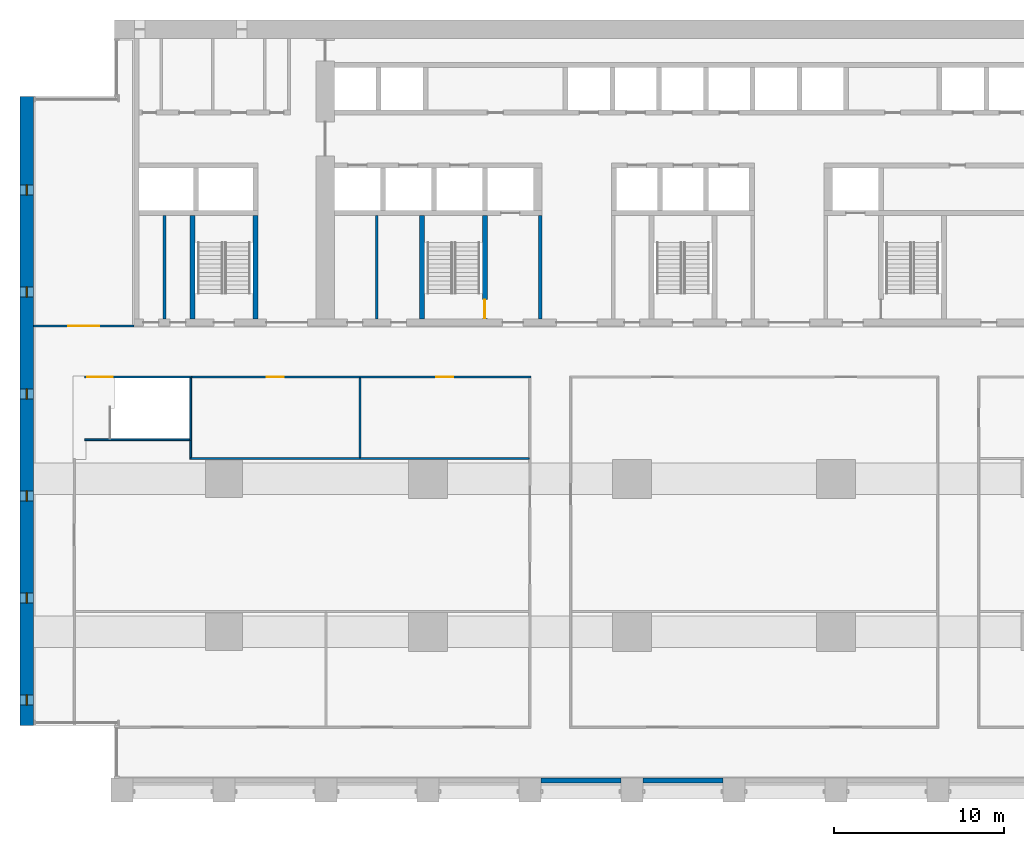
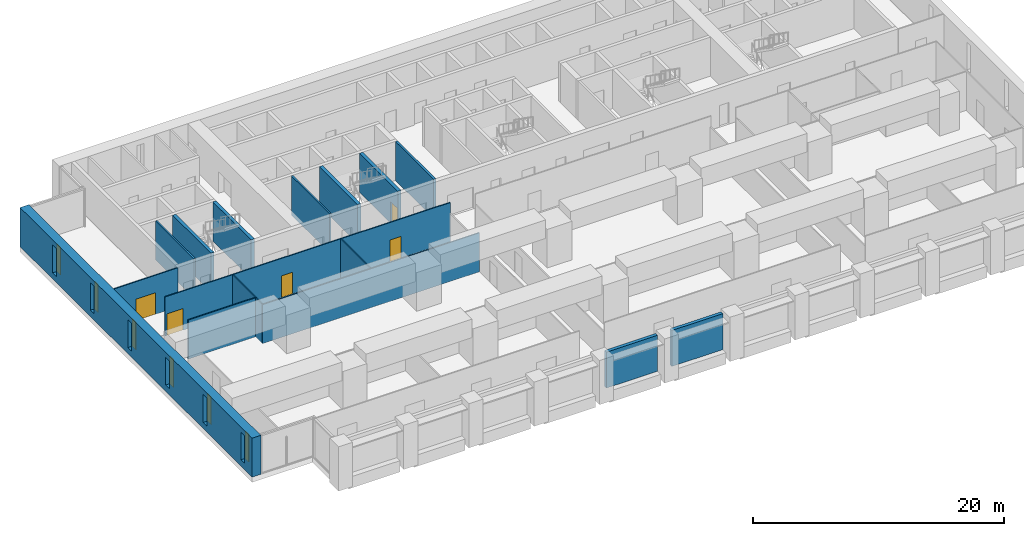
# One storey, part 7 of 17: 18 walls, 6 windows, 5 doors, 11 openings.
"""IFC4 building model written with IfcOpenShell, lengths in metres."""

from ifc_helpers import new_model, si_unit, direction, frame, frame_2d, origin, place, context, subcontext, project, spatial, rectangle, extrude, material, layer, layer_set, type_object, element, fill, save


model = new_model("IFC4")

# Units and contexts
model_context = context("Model", 3, precision=1e-05, world=origin(), true_north=direction((0.0, 1.0)))
body_context = subcontext(model_context, "Body", "Model", "MODEL_VIEW")
ifc_project = project(units=[si_unit("LENGTHUNIT", "METRE"), si_unit("AREAUNIT", "SQUARE_METRE"), si_unit("VOLUMEUNIT", "CUBIC_METRE"), si_unit("PLANEANGLEUNIT", "RADIAN"), si_unit("MASSUNIT", "GRAM", prefix="KILO")], contexts=[model_context])

# Site, building, storey
site_placement = place(None, origin())
site = spatial("IfcSite", under=ifc_project, at=site_placement, CompositionType="ELEMENT")
building_placement = place(site_placement, origin())
building = spatial("IfcBuilding", under=site, at=building_placement, Name="Calvaro Tower", CompositionType="ELEMENT")
storey_placement = place(building_placement, frame((0.0, 0.0, 17.89990234375)))
storey = spatial("IfcBuildingStorey", under=building, at=storey_placement, Name="L03", CompositionType="ELEMENT", Elevation=17.89990234375)

# Walls
ifc_material_1 = material(Name="Blockwork partition", Category="masonry")
ifc_layer_1 = layer(ifc_material_1, 0.14990234375)
ifc_layer_set_1 = layer_set([ifc_layer_1], Name="Blockwork partition")
wall_type_1 = type_object("IfcWallType", Name="Core partition 150 EI 60", PredefinedType="PARTITIONING", material=ifc_layer_set_1)
wall_1_placement = place(storey_placement, frame((21.0, 28.39990234375, 0.0), z_axis=(0.0, 0.0, 1.0), x_axis=(0.0, 1.0, 0.0)))
element("IfcWall", 1, at=wall_1_placement, inside=storey, type_object=wall_type_1, Name="Core partition", PredefinedType="PARTITIONING", context=body_context, shape_type="SweptSolid", body=[
    extrude(rectangle(XDim=6.10009765625, YDim=0.14990234375, at=frame_2d((3.050048828125, 0.0))), origin(), (0.0, 0.0, 1.0), 3.800048828125),
])
ifc_material_2 = material(Name="Blockwork partition", Category="masonry")
ifc_layer_2 = layer(ifc_material_2, 0.14990234375)
ifc_layer_set_2 = layer_set([ifc_layer_2], Name="Blockwork partition")
wall_type_2 = type_object("IfcWallType", Name="Core partition 150 REI 120", PredefinedType="PARTITIONING", material=ifc_layer_set_2)
wall_2_placement = place(storey_placement, frame((8.5, 28.39990234375, 0.0), z_axis=(0.0, 0.0, 1.0), x_axis=(0.0, 1.0, 0.0)))
element("IfcWall", 2, at=wall_2_placement, inside=storey, type_object=wall_type_2, Name="Core partition", PredefinedType="PARTITIONING", context=body_context, shape_type="SweptSolid", body=[
    extrude(rectangle(XDim=6.10009765625, YDim=0.14990234375, at=frame_2d((3.050048828125, 0.0))), origin(), (0.0, 0.0, 1.0), 3.800048828125),
])
ifc_material_3 = material(Name="Blockwork partition", Category="masonry")
ifc_layer_3 = layer(ifc_material_3, 0.199951171875)
ifc_layer_set_3 = layer_set([ifc_layer_3], Name="Blockwork partition")
wall_type_3 = type_object("IfcWallType", Name="Core partition 200 REI 120", PredefinedType="PARTITIONING", material=ifc_layer_set_3)
wall_3_placement = place(storey_placement, frame((30.60009765625, 28.39990234375, 0.0), z_axis=(0.0, 0.0, 1.0), x_axis=(0.0, 1.0, 0.0)))
element("IfcWall", 3, at=wall_3_placement, inside=storey, type_object=wall_type_3, Name="Core partition", PredefinedType="PARTITIONING", context=body_context, shape_type="SweptSolid", body=[
    extrude(rectangle(XDim=6.10009765625, YDim=0.199951171875, at=frame_2d((3.050048828125, 0.0))), origin(), (0.0, 0.0, 1.0), 3.800048828125),
])
ifc_material_4 = material(Name="Concrete C80/95", Category="concrete")
ifc_layer_4 = layer(ifc_material_4, 0.300048828125)
ifc_layer_set_4 = layer_set([ifc_layer_4], Name="Concrete C80/95")
wall_type_4 = type_object("IfcWallType", Name="Core wall C80/95 300", PredefinedType="SHEAR", material=ifc_layer_set_4)
for number, where, z_axis, x_axis, name in (
    (4, (10.14990234375, 28.39990234375, 0.0), (0.0, 0.0, 1.0), (0.0, 1.0, 0.0), "Core wall, stair enclosure"),
    (5, (13.85009765625, 28.39990234375, 0.0), (0.0, 0.0, 1.0), (0.0, 1.0, 0.0), "Core wall, stair enclosure"),
    (6, (23.64990234375, 28.39990234375, 0.0), (0.0, 0.0, 1.0), (0.0, 1.0, 0.0), "Core wall, stair enclosure"),
):
    element("IfcWall", number, at=place(storey_placement, frame(where, z_axis=z_axis, x_axis=x_axis)), inside=storey, type_object=wall_type_4, Name=name, PredefinedType="SHEAR", context=body_context, shape_type="SweptSolid", body=[
        extrude(rectangle(XDim=6.10009765625, YDim=0.300048828125, at=frame_2d((3.050048828125, 0.0))), origin(), (0.0, 0.0, 1.0), 3.800048828125),
    ])

# Wall, opening, door
wall_4_placement = place(storey_placement, frame((27.35009765625, 28.39990234375, 0.0), z_axis=(0.0, 0.0, 1.0), x_axis=(0.0, 1.0, 0.0)))
wall_4 = element("IfcWall", 7, at=wall_4_placement, inside=storey, type_object=wall_type_4, Name="Core wall, stair enclosure", PredefinedType="SHEAR", context=body_context, shape_type="SweptSolid", body=[
    extrude(rectangle(XDim=6.10009765625, YDim=0.300048828125, at=frame_2d((3.050048828125, 0.0))), origin(), (0.0, 0.0, 1.0), 3.800048828125),
])
opening_1_placement = place(wall_4_placement, frame((0.050048828125, 0.0, 0.0)))
opening_1 = element("IfcOpeningElement", 8, at=opening_1_placement, cuts=wall_4, Name="Opening FD11D", PredefinedType="OPENING", context=body_context, shape_type="SweptSolid", body=[
    extrude(rectangle(XDim=1.10009765625, YDim=2.10009765625, at=frame_2d((0.550048828125, 1.050048828125))), frame((0.0, 0.159912109375, 0.0), z_axis=(0.0, -1.0, 0.0), x_axis=(1.0, 0.0, 0.0)), (0.0, 0.0, 1.0), 0.320068359375),
])
ifc_material_5 = material(Name="Steel door set", Category="steel")
door_type_1 = type_object("IfcDoorType", Name="Fire door 1100 FD30S", OperationType="SINGLE_SWING_LEFT", PredefinedType="DOOR", material=ifc_material_5)
door_1_placement = place(opening_1_placement, origin())
door_1 = element("IfcDoor", 9, at=door_1_placement, inside=storey, type_object=door_type_1, Name="Fire door", OperationType="SINGLE_SWING_LEFT", OverallHeight=2.10009765625, OverallWidth=1.10009765625, PredefinedType="DOOR", context=body_context, shape_type="SweptSolid", body=[
    extrude(rectangle(XDim=1.10009765625, YDim=2.10009765625, at=frame_2d((0.550048828125, 1.050048828125))), frame((0.0, 0.02490234375, 0.0), z_axis=(0.0, -1.0, 0.0), x_axis=(1.0, 0.0, 0.0)), (0.0, 0.0, 1.0), 0.050048828125),
])
fill(opening_1, door_1)

# Wall, openings, windows
ifc_material_6 = material(Name="Concrete C80/95", Category="concrete")
ifc_layer_5 = layer(ifc_material_6, 0.800048828125)
ifc_layer_set_5 = layer_set([ifc_layer_5], Name="Concrete C80/95")
wall_type_5 = type_object("IfcWallType", Name="End wall 800 C80/95", PredefinedType="SHEAR", material=ifc_layer_set_5)
wall_5_placement = place(storey_placement, frame((0.39990234375, 4.5, 0.0), z_axis=(0.0, 0.0, 1.0), x_axis=(0.0, 1.0, 0.0)))
wall_5 = element("IfcWall", 10, at=wall_5_placement, inside=storey, type_object=wall_type_5, Name="End shear wall", PredefinedType="SHEAR", context=body_context, shape_type="SweptSolid", body=[
    extrude(rectangle(XDim=37.0, YDim=0.800048828125, at=frame_2d((18.5, 0.0))), origin(), (0.0, 0.0, 1.0), 3.800048828125),
])
opening_2_placement = place(wall_5_placement, frame((1.199951171875, 0.0, 0.60009765625)))
opening_2 = element("IfcOpeningElement", 11, at=opening_2_placement, cuts=wall_5, Name="Opening WW01", PredefinedType="OPENING", context=body_context, shape_type="SweptSolid", body=[
    extrude(rectangle(XDim=0.60009765625, YDim=2.699951171875, at=frame_2d((0.300048828125, 1.35009765625))), frame((0.0, 0.409912109375, 0.0), z_axis=(0.0, -1.0, 0.0), x_axis=(1.0, 0.0, 0.0)), (0.0, 0.0, 1.0), 0.820068359375),
])
opening_3_placement = place(wall_5_placement, frame((7.199951171875, 0.0, 0.60009765625)))
opening_3 = element("IfcOpeningElement", 12, at=opening_3_placement, cuts=wall_5, Name="Opening WW02", PredefinedType="OPENING", context=body_context, shape_type="SweptSolid", body=[
    extrude(rectangle(XDim=0.60009765625, YDim=2.699951171875, at=frame_2d((0.300048828125, 1.35009765625))), frame((0.0, 0.409912109375, 0.0), z_axis=(0.0, -1.0, 0.0), x_axis=(1.0, 0.0, 0.0)), (0.0, 0.0, 1.0), 0.820068359375),
])
opening_4_placement = place(wall_5_placement, frame((13.199951171875, 0.0, 0.60009765625)))
opening_4 = element("IfcOpeningElement", 13, at=opening_4_placement, cuts=wall_5, Name="Opening WW03", PredefinedType="OPENING", context=body_context, shape_type="SweptSolid", body=[
    extrude(rectangle(XDim=0.60009765625, YDim=2.699951171875, at=frame_2d((0.300048828125, 1.35009765625))), frame((0.0, 0.409912109375, 0.0), z_axis=(0.0, -1.0, 0.0), x_axis=(1.0, 0.0, 0.0)), (0.0, 0.0, 1.0), 0.820068359375),
])
opening_5_placement = place(wall_5_placement, frame((19.199951171875, 0.0, 0.60009765625)))
opening_5 = element("IfcOpeningElement", 14, at=opening_5_placement, cuts=wall_5, Name="Opening WW04", PredefinedType="OPENING", context=body_context, shape_type="SweptSolid", body=[
    extrude(rectangle(XDim=0.60009765625, YDim=2.699951171875, at=frame_2d((0.300048828125, 1.35009765625))), frame((0.0, 0.409912109375, 0.0), z_axis=(0.0, -1.0, 0.0), x_axis=(1.0, 0.0, 0.0)), (0.0, 0.0, 1.0), 0.820068359375),
])
opening_6_placement = place(wall_5_placement, frame((25.199951171875, 0.0, 0.60009765625)))
opening_6 = element("IfcOpeningElement", 15, at=opening_6_placement, cuts=wall_5, Name="Opening WW05", PredefinedType="OPENING", context=body_context, shape_type="SweptSolid", body=[
    extrude(rectangle(XDim=0.60009765625, YDim=2.699951171875, at=frame_2d((0.300048828125, 1.35009765625))), frame((0.0, 0.409912109375, 0.0), z_axis=(0.0, -1.0, 0.0), x_axis=(1.0, 0.0, 0.0)), (0.0, 0.0, 1.0), 0.820068359375),
])
opening_7_placement = place(wall_5_placement, frame((31.199951171875, 0.0, 0.60009765625)))
opening_7 = element("IfcOpeningElement", 16, at=opening_7_placement, cuts=wall_5, Name="Opening WW06", PredefinedType="OPENING", context=body_context, shape_type="SweptSolid", body=[
    extrude(rectangle(XDim=0.60009765625, YDim=2.699951171875, at=frame_2d((0.300048828125, 1.35009765625))), frame((0.0, 0.409912109375, 0.0), z_axis=(0.0, -1.0, 0.0), x_axis=(1.0, 0.0, 0.0)), (0.0, 0.0, 1.0), 0.820068359375),
])
ifc_material_7 = material(Name="Glass", Category="glass")
window_type = type_object("IfcWindowType", Name="Slit window 600 x 2700", PartitioningType="SINGLE_PANEL", PredefinedType="WINDOW", material=ifc_material_7)
window_1_placement = place(opening_2_placement, origin())
window_1 = element("IfcWindow", 17, at=window_1_placement, inside=storey, type_object=window_type, Name="Window WW01", OverallHeight=2.699951171875, OverallWidth=0.60009765625, PartitioningType="SINGLE_PANEL", PredefinedType="WINDOW", context=body_context, shape_type="SweptSolid", body=[
    extrude(rectangle(XDim=0.60009765625, YDim=2.699951171875, at=frame_2d((0.300048828125, 1.35009765625))), frame((0.0, 0.030029296875, 0.0), z_axis=(0.0, -1.0, 0.0), x_axis=(1.0, 0.0, 0.0)), (0.0, 0.0, 1.0), 0.06005859375),
])
fill(opening_2, window_1)
window_2_placement = place(opening_3_placement, origin())
window_2 = element("IfcWindow", 18, at=window_2_placement, inside=storey, type_object=window_type, Name="Window WW02", OverallHeight=2.699951171875, OverallWidth=0.60009765625, PartitioningType="SINGLE_PANEL", PredefinedType="WINDOW", context=body_context, shape_type="SweptSolid", body=[
    extrude(rectangle(XDim=0.60009765625, YDim=2.699951171875, at=frame_2d((0.300048828125, 1.35009765625))), frame((0.0, 0.030029296875, 0.0), z_axis=(0.0, -1.0, 0.0), x_axis=(1.0, 0.0, 0.0)), (0.0, 0.0, 1.0), 0.06005859375),
])
fill(opening_3, window_2)
window_3_placement = place(opening_4_placement, origin())
window_3 = element("IfcWindow", 19, at=window_3_placement, inside=storey, type_object=window_type, Name="Window WW03", OverallHeight=2.699951171875, OverallWidth=0.60009765625, PartitioningType="SINGLE_PANEL", PredefinedType="WINDOW", context=body_context, shape_type="SweptSolid", body=[
    extrude(rectangle(XDim=0.60009765625, YDim=2.699951171875, at=frame_2d((0.300048828125, 1.35009765625))), frame((0.0, 0.030029296875, 0.0), z_axis=(0.0, -1.0, 0.0), x_axis=(1.0, 0.0, 0.0)), (0.0, 0.0, 1.0), 0.06005859375),
])
fill(opening_4, window_3)
window_4_placement = place(opening_5_placement, origin())
window_4 = element("IfcWindow", 20, at=window_4_placement, inside=storey, type_object=window_type, Name="Window WW04", OverallHeight=2.699951171875, OverallWidth=0.60009765625, PartitioningType="SINGLE_PANEL", PredefinedType="WINDOW", context=body_context, shape_type="SweptSolid", body=[
    extrude(rectangle(XDim=0.60009765625, YDim=2.699951171875, at=frame_2d((0.300048828125, 1.35009765625))), frame((0.0, 0.030029296875, 0.0), z_axis=(0.0, -1.0, 0.0), x_axis=(1.0, 0.0, 0.0)), (0.0, 0.0, 1.0), 0.06005859375),
])
fill(opening_5, window_4)
window_5_placement = place(opening_6_placement, origin())
window_5 = element("IfcWindow", 21, at=window_5_placement, inside=storey, type_object=window_type, Name="Window WW05", OverallHeight=2.699951171875, OverallWidth=0.60009765625, PartitioningType="SINGLE_PANEL", PredefinedType="WINDOW", context=body_context, shape_type="SweptSolid", body=[
    extrude(rectangle(XDim=0.60009765625, YDim=2.699951171875, at=frame_2d((0.300048828125, 1.35009765625))), frame((0.0, 0.030029296875, 0.0), z_axis=(0.0, -1.0, 0.0), x_axis=(1.0, 0.0, 0.0)), (0.0, 0.0, 1.0), 0.06005859375),
])
fill(opening_6, window_5)
window_6_placement = place(opening_7_placement, origin())
window_6 = element("IfcWindow", 22, at=window_6_placement, inside=storey, type_object=window_type, Name="Window WW06", OverallHeight=2.699951171875, OverallWidth=0.60009765625, PartitioningType="SINGLE_PANEL", PredefinedType="WINDOW", context=body_context, shape_type="SweptSolid", body=[
    extrude(rectangle(XDim=0.60009765625, YDim=2.699951171875, at=frame_2d((0.300048828125, 1.35009765625))), frame((0.0, 0.030029296875, 0.0), z_axis=(0.0, -1.0, 0.0), x_axis=(1.0, 0.0, 0.0)), (0.0, 0.0, 1.0), 0.06005859375),
])
fill(opening_7, window_6)

# Wall
ifc_material_8 = material(Name="Plasterboard on steel studs", Category="steel")
ifc_layer_6 = layer(ifc_material_8, 0.10009765625)
ifc_layer_set_6 = layer_set([ifc_layer_6], Name="Plasterboard on steel studs")
wall_type_6 = type_object("IfcWallType", Name="Partition 100", PredefinedType="PARTITIONING", material=ifc_layer_set_6)
wall_6_placement = place(storey_placement, frame((10.0, 20.199951171875, 0.0), z_axis=(0.0, 0.0, 1.0), x_axis=(1.0, 0.0, 0.0)))
element("IfcWall", 23, at=wall_6_placement, inside=storey, type_object=wall_type_6, Name="Partition T06.W007", PredefinedType="PARTITIONING", context=body_context, shape_type="SweptSolid", body=[
    extrude(rectangle(XDim=19.949951171875, YDim=0.10009765625, at=frame_2d((9.97509765625, 0.0))), origin(), (0.0, 0.0, 1.0), 3.800048828125),
])

# Wall, openings, doors
wall_7_placement = place(storey_placement, frame((10.090087890625, 25.0, 0.0), z_axis=(0.0, 0.0, 1.0), x_axis=(1.0, 0.0, 0.0)))
wall_7 = element("IfcWall", 24, at=wall_7_placement, inside=storey, type_object=wall_type_6, Name="Partition T06.W013", PredefinedType="PARTITIONING", context=body_context, shape_type="SweptSolid", body=[
    extrude(rectangle(XDim=19.9599609375, YDim=0.10009765625, at=frame_2d((9.97998046875, 0.0))), origin(), (0.0, 0.0, 1.0), 3.800048828125),
])
opening_8_placement = place(wall_7_placement, frame((4.43505859375, 0.0, 0.0)))
opening_8 = element("IfcOpeningElement", 25, at=opening_8_placement, cuts=wall_7, Name="Opening T06.017", PredefinedType="OPENING", context=body_context, shape_type="SweptSolid", body=[
    extrude(rectangle(XDim=1.0, YDim=2.10009765625, at=frame_2d((0.5, 1.050048828125))), frame((0.0, 0.06005859375, 0.0), z_axis=(0.0, -1.0, 0.0), x_axis=(1.0, 0.0, 0.0)), (0.0, 0.0, 1.0), 0.1201171875),
])
opening_9_placement = place(wall_7_placement, frame((14.409912109375, 0.0, 0.0)))
opening_9 = element("IfcOpeningElement", 26, at=opening_9_placement, cuts=wall_7, Name="Opening T06.018", PredefinedType="OPENING", context=body_context, shape_type="SweptSolid", body=[
    extrude(rectangle(XDim=1.0, YDim=2.10009765625, at=frame_2d((0.5, 1.050048828125))), frame((0.0, 0.06005859375, 0.0), z_axis=(0.0, -1.0, 0.0), x_axis=(1.0, 0.0, 0.0)), (0.0, 0.0, 1.0), 0.1201171875),
])
ifc_material_9 = material(Name="Timber", Category="wood")
door_type_2 = type_object("IfcDoorType", Name="Internal single door 1000 x 2100", OperationType="SINGLE_SWING_LEFT", PredefinedType="DOOR", material=ifc_material_9)
door_2_placement = place(opening_8_placement, origin())
door_2 = element("IfcDoor", 27, at=door_2_placement, inside=storey, type_object=door_type_2, Name="Door T06.017", OperationType="SINGLE_SWING_LEFT", OverallHeight=2.10009765625, OverallWidth=1.0, PredefinedType="DOOR", context=body_context, shape_type="SweptSolid", body=[
    extrude(rectangle(XDim=1.0, YDim=2.10009765625, at=frame_2d((0.5, 1.050048828125))), frame((0.0, 0.02490234375, 0.0), z_axis=(0.0, -1.0, 0.0), x_axis=(1.0, 0.0, 0.0)), (0.0, 0.0, 1.0), 0.050048828125),
])
fill(opening_8, door_2)
door_3_placement = place(opening_9_placement, origin())
door_3 = element("IfcDoor", 28, at=door_3_placement, inside=storey, type_object=door_type_2, Name="Door T06.018", OperationType="SINGLE_SWING_RIGHT", OverallHeight=2.10009765625, OverallWidth=1.0, PredefinedType="DOOR", context=body_context, shape_type="SweptSolid", body=[
    extrude(rectangle(XDim=1.0, YDim=2.10009765625, at=frame_2d((0.5, 1.050048828125))), frame((0.0, 0.02490234375, 0.0), z_axis=(0.0, -1.0, 0.0), x_axis=(1.0, 0.0, 0.0)), (0.0, 0.0, 1.0), 0.050048828125),
])
fill(opening_9, door_3)

# Wall, opening, door
wall_8_placement = place(storey_placement, frame((0.800048828125, 28.0, 0.0), z_axis=(0.0, 0.0, 1.0), x_axis=(1.0, 0.0, 0.0)))
wall_8 = element("IfcWall", 29, at=wall_8_placement, inside=storey, type_object=wall_type_6, Name="Partition T06.W018", PredefinedType="PARTITIONING", context=body_context, shape_type="SweptSolid", body=[
    extrude(rectangle(XDim=5.89990234375, YDim=0.10009765625, at=frame_2d((2.949951171875, 0.0))), origin(), (0.0, 0.0, 1.0), 3.800048828125),
])
opening_10_placement = place(wall_8_placement, frame((2.050048828125, 0.0, 0.0)))
opening_10 = element("IfcOpeningElement", 30, at=opening_10_placement, cuts=wall_8, Name="Opening T06.024", PredefinedType="OPENING", context=body_context, shape_type="SweptSolid", body=[
    extrude(rectangle(XDim=1.800048828125, YDim=2.10009765625, at=frame_2d((0.89990234375, 1.050048828125))), frame((0.0, 0.06005859375, 0.0), z_axis=(0.0, -1.0, 0.0), x_axis=(1.0, 0.0, 0.0)), (0.0, 0.0, 1.0), 0.1201171875),
])
ifc_material_10 = material(Name="Timber", Category="wood")
door_type_3 = type_object("IfcDoorType", Name="Internal double door 1800 x 2100", OperationType="DOUBLE_DOOR_SINGLE_SWING", PredefinedType="DOOR", material=ifc_material_10)
door_4_placement = place(opening_10_placement, origin())
door_4 = element("IfcDoor", 31, at=door_4_placement, inside=storey, type_object=door_type_3, Name="Door T06.024", OperationType="DOUBLE_DOOR_SINGLE_SWING", OverallHeight=2.10009765625, OverallWidth=1.800048828125, PredefinedType="DOOR", context=body_context, shape_type="SweptSolid", body=[
    extrude(rectangle(XDim=1.800048828125, YDim=2.10009765625, at=frame_2d((0.89990234375, 1.050048828125))), frame((0.0, 0.02490234375, 0.0), z_axis=(0.0, -1.0, 0.0), x_axis=(1.0, 0.0, 0.0)), (0.0, 0.0, 1.0), 0.050048828125),
])
fill(opening_10, door_4)

# Walls
wall_9_placement = place(storey_placement, frame((10.050048828125, 20.25, 0.0), z_axis=(0.0, 0.0, 1.0), x_axis=(0.0, 1.0, 0.0)))
element("IfcWall", 32, at=wall_9_placement, inside=storey, type_object=wall_type_6, Name="Partition T06.W021", PredefinedType="PARTITIONING", context=body_context, shape_type="SweptSolid", body=[
    extrude(rectangle(XDim=1.010009765625, YDim=0.10009765625, at=frame_2d((0.5048828125, 0.0))), origin(), (0.0, 0.0, 1.0), 3.800048828125),
])
wall_10_placement = place(storey_placement, frame((20.0, 20.25, 0.0), z_axis=(0.0, 0.0, 1.0), x_axis=(0.0, 1.0, 0.0)))
element("IfcWall", 33, at=wall_10_placement, inside=storey, type_object=wall_type_6, Name="Partition T06.W024", PredefinedType="PARTITIONING", context=body_context, shape_type="SweptSolid", body=[
    extrude(rectangle(XDim=4.699951171875, YDim=0.10009765625, at=frame_2d((2.35009765625, 0.0))), origin(), (0.0, 0.0, 1.0), 3.800048828125),
])
ifc_material_11 = material(Name="Concrete C40/50", Category="concrete")
ifc_layer_7 = layer(ifc_material_11, 0.10009765625)
ifc_layer_set_7 = layer_set([ifc_layer_7], Name="Concrete C40/50")
wall_type_7 = type_object("IfcWallType", Name="Stair enclosure wall 100", PredefinedType="SOLIDWALL", material=ifc_layer_set_7)
wall_11_placement = place(storey_placement, frame((3.800048828125, 21.300048828125, 0.0), z_axis=(0.0, 0.0, 1.0), x_axis=(1.0, 0.0, 0.0)))
element("IfcWall", 34, at=wall_11_placement, inside=storey, type_object=wall_type_7, Name="Stair enclosure wall T06.W010", PredefinedType="SOLIDWALL", context=body_context, shape_type="SweptSolid", body=[
    extrude(rectangle(XDim=6.199951171875, YDim=0.10009765625, at=frame_2d((3.10009765625, 0.0))), origin(), (0.0, 0.0, 1.0), 3.800048828125),
])

# Wall, opening, door
wall_12_placement = place(storey_placement, frame((3.800048828125, 25.0, 0.0), z_axis=(0.0, 0.0, 1.0), x_axis=(1.0, 0.0, 0.0)))
wall_12 = element("IfcWall", 35, at=wall_12_placement, inside=storey, type_object=wall_type_7, Name="Stair enclosure wall T06.W012", PredefinedType="SOLIDWALL", context=body_context, shape_type="SweptSolid", body=[
    extrude(rectangle(XDim=6.2900390625, YDim=0.10009765625, at=frame_2d((3.14501953125, 0.0))), origin(), (0.0, 0.0, 1.0), 3.800048828125),
])
opening_11_placement = place(wall_12_placement, frame((0.14990234375, 0.0, 0.0)))
opening_11 = element("IfcOpeningElement", 36, at=opening_11_placement, cuts=wall_12, Name="Opening T06.021", PredefinedType="OPENING", context=body_context, shape_type="SweptSolid", body=[
    extrude(rectangle(XDim=1.5, YDim=2.10009765625, at=frame_2d((0.75, 1.050048828125))), frame((0.0, 0.06005859375, 0.0), z_axis=(0.0, -1.0, 0.0), x_axis=(1.0, 0.0, 0.0)), (0.0, 0.0, 1.0), 0.1201171875),
])
ifc_material_12 = material(Name="Timber", Category="wood")
door_type_4 = type_object("IfcDoorType", Name="Internal double door 1500 x 2100 FD30S", OperationType="DOUBLE_DOOR_SINGLE_SWING", PredefinedType="DOOR", material=ifc_material_12)
door_5_placement = place(opening_11_placement, origin())
door_5 = element("IfcDoor", 37, at=door_5_placement, inside=storey, type_object=door_type_4, Name="Door T06.021", OperationType="DOUBLE_DOOR_SINGLE_SWING", OverallHeight=2.10009765625, OverallWidth=1.5, PredefinedType="DOOR", context=body_context, shape_type="SweptSolid", body=[
    extrude(rectangle(XDim=1.5, YDim=2.10009765625, at=frame_2d((0.75, 1.050048828125))), frame((0.0, 0.02490234375, 0.0), z_axis=(0.0, -1.0, 0.0), x_axis=(1.0, 0.0, 0.0)), (0.0, 0.0, 1.0), 0.050048828125),
])
fill(opening_11, door_5)

# Walls
wall_13_placement = place(storey_placement, frame((10.050048828125, 21.260009765625, 0.0), z_axis=(0.0, 0.0, 1.0), x_axis=(0.0, 1.0, 0.0)))
element("IfcWall", 38, at=wall_13_placement, inside=storey, type_object=wall_type_7, Name="Stair enclosure wall T06.W022", PredefinedType="SOLIDWALL", context=body_context, shape_type="SweptSolid", body=[
    extrude(rectangle(XDim=3.68994140625, YDim=0.10009765625, at=frame_2d((1.844970703125, 0.0))), origin(), (0.0, 0.0, 1.0), 3.800048828125),
])
ifc_material_13 = material(Name="Stone faced masonry", Category="masonry")
ifc_layer_8 = layer(ifc_material_13, 0.300048828125)
ifc_layer_set_8 = layer_set([ifc_layer_8], Name="Stone faced masonry")
wall_type_8 = type_object("IfcWallType", Name="Stone faced wall 300", PredefinedType="SOLIDWALL", material=ifc_layer_set_8)
for number, where, z_axis, x_axis, name in (
    (39, (30.64990234375, 1.25, 0.0), (0.0, 0.0, 1.0), (1.0, 0.0, 0.0), "Stone faced wall"),
    (40, (36.64990234375, 1.25, 0.0), (0.0, 0.0, 1.0), (1.0, 0.0, 0.0), "Stone faced wall"),
):
    element("IfcWall", number, at=place(storey_placement, frame(where, z_axis=z_axis, x_axis=x_axis)), inside=storey, type_object=wall_type_8, Name=name, PredefinedType="SOLIDWALL", context=body_context, shape_type="SweptSolid", body=[
        extrude(rectangle(XDim=4.7001953125, YDim=0.300048828125, at=frame_2d((2.35009765625, 0.0))), origin(), (0.0, 0.0, 1.0), 3.5),
    ])

save(model, "model.ifc")
